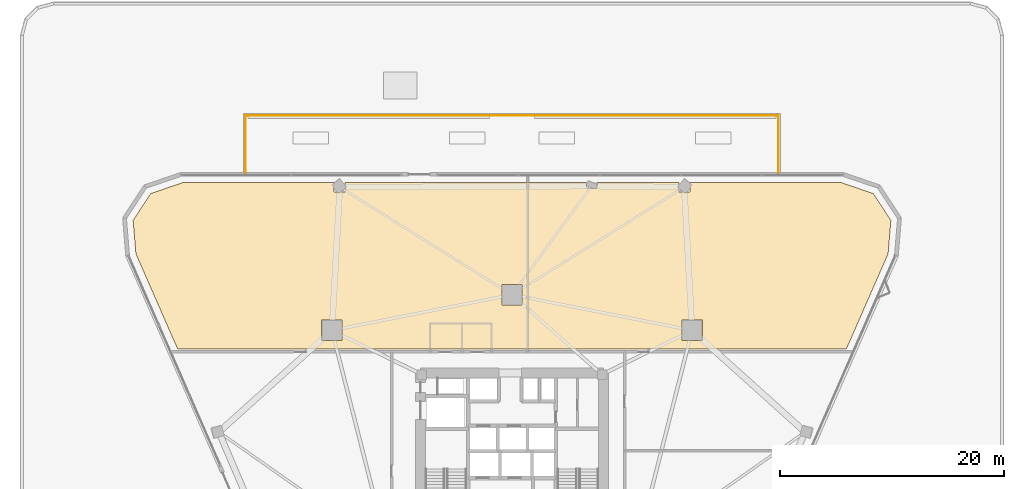
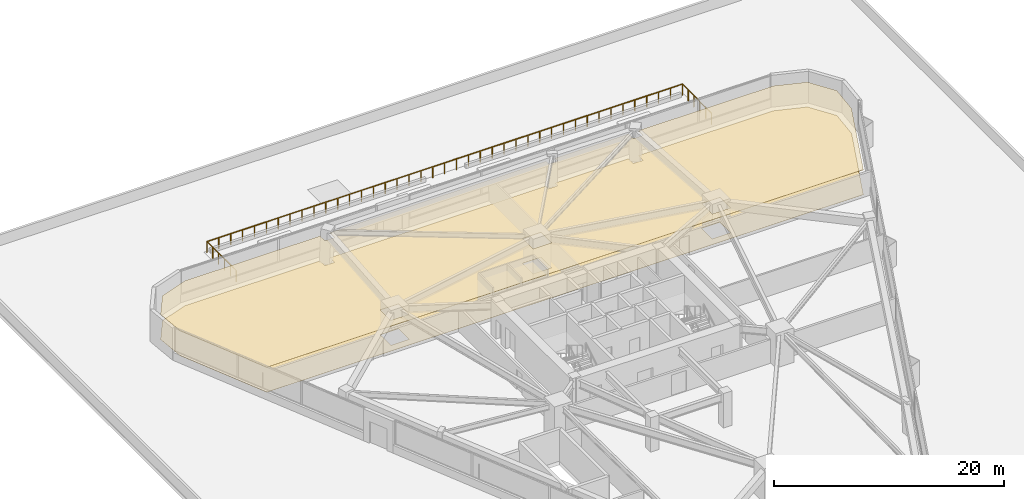
# One storey, part 21 of 21: 3 railings, 2 coverings.
"""IFC4 building model written with IfcOpenShell, lengths in metres."""

from ifc_helpers import new_model, si_unit, direction, frame, origin, origin_2d, place, context, subcontext, project, spatial, polyline, rectangle, outline, extrude, material, layer, layer_set, type_object, element, save


model = new_model("IFC4")

# Units and contexts
model_context = context("Model", 3, precision=1e-05, world=origin(), true_north=direction((0.0, 1.0)))
body_context = subcontext(model_context, "Body", "Model", "MODEL_VIEW")
ifc_project = project(units=[si_unit("LENGTHUNIT", "METRE"), si_unit("AREAUNIT", "SQUARE_METRE"), si_unit("VOLUMEUNIT", "CUBIC_METRE"), si_unit("PLANEANGLEUNIT", "RADIAN"), si_unit("MASSUNIT", "GRAM", prefix="KILO")], contexts=[model_context])

# Site, building, storey
site_placement = place(None, origin())
site = spatial("IfcSite", under=ifc_project, at=site_placement, CompositionType="ELEMENT")
building_placement = place(site_placement, origin())
building = spatial("IfcBuilding", under=site, at=building_placement, Name="Talyreon Biosciences Tower", CompositionType="ELEMENT")
storey_placement = place(building_placement, frame((0.0, 0.0, 22.800048828125)))
storey = spatial("IfcBuildingStorey", under=building, at=storey_placement, Name="L05", CompositionType="ELEMENT", Elevation=22.800048828125)

# Coverings
ifc_material_1 = material(Name="Cleanable acoustic mineral-fibre ceiling tile", Category="gypsum")
ifc_layer_1 = layer(ifc_material_1, 0.0400390625)
ifc_layer_set_1 = layer_set([ifc_layer_1], Name="Cleanable acoustic mineral-fibre ceiling tile")
covering_type_1 = type_object("IfcCoveringType", Name="AcousticCleanroomCeiling_40", PredefinedType="CEILING", material=ifc_layer_set_1)
covering_1_placement = place(storey_placement, frame((0.0, 0.0, 2.614990234375)))
element("IfcCovering", 1, at=covering_1_placement, inside=storey, type_object=covering_type_1, Name="L05 Acoustic Laboratory Ceiling", PredefinedType="CEILING", context=body_context, shape_type="SweptSolid", body=[
    extrude(outline(polyline([(32.116455078125, 88.437255859375), (33.68212890625, 90.83251953125), (36.513671875, 91.80419921875), (50.06298828125, 91.80419921875), (50.06298828125, 90.975341796875), (51.04296875, 90.975341796875), (51.04296875, 91.80419921875), (72.664306640625, 91.80419921875), (72.664306640625, 91.325439453125), (73.594482421875, 91.325439453125), (73.594482421875, 91.80419921875), (80.95703125, 91.80419921875), (80.95703125, 90.975341796875), (81.93701171875, 90.975341796875), (81.93701171875, 91.80419921875), (95.486328125, 91.80419921875), (98.31787109375, 90.83251953125), (99.883544921875, 88.437255859375), (99.63720703125, 85.45361328125), (95.89794921875, 76.919921875), (36.10205078125, 76.919921875), (32.36279296875, 85.45361328125), (32.116455078125, 88.437255859375)]), holes=[polyline([(48.982666015625, 77.68359375), (50.8125, 77.68359375), (50.8125, 79.513671875), (48.982666015625, 79.513671875), (48.982666015625, 77.68359375)]), polyline([(81.1875, 77.68359375), (83.017333984375, 77.68359375), (83.017333984375, 79.513671875), (81.1875, 79.513671875), (81.1875, 77.68359375)]), polyline([(66.9150390625, 80.873779296875), (66.9150390625, 82.703857421875), (65.0849609375, 82.703857421875), (65.0849609375, 80.873779296875), (66.9150390625, 80.873779296875)])]), origin(), (0.0, 0.0, 1.0), 0.0400390625),
])
ifc_material_2 = material(Name="Chemical-resistant seamless epoxy resin flooring", Category="plastic")
ifc_layer_2 = layer(ifc_material_2, 0.014892578125)
ifc_layer_set_2 = layer_set([ifc_layer_2], Name="Chemical-resistant seamless epoxy resin flooring")
covering_type_2 = type_object("IfcCoveringType", Name="SeamlessEpoxyLabFlooring_15", PredefinedType="FLOORING", material=ifc_layer_set_2)
covering_2_placement = place(storey_placement, origin())
element("IfcCovering", 2, at=covering_2_placement, inside=storey, type_object=covering_type_2, Name="L05 Laboratory Floor Finish", PredefinedType="FLOORING", context=body_context, shape_type="SweptSolid", body=[
    extrude(outline(polyline([(32.116455078125, 88.437255859375), (33.68212890625, 90.83251953125), (36.513671875, 91.80419921875), (50.06298828125, 91.80419921875), (50.06298828125, 90.975341796875), (51.04296875, 90.975341796875), (51.04296875, 91.80419921875), (72.664306640625, 91.80419921875), (72.664306640625, 91.325439453125), (73.594482421875, 91.325439453125), (73.594482421875, 91.80419921875), (80.95703125, 91.80419921875), (80.95703125, 90.975341796875), (81.93701171875, 90.975341796875), (81.93701171875, 91.80419921875), (95.486328125, 91.80419921875), (98.31787109375, 90.83251953125), (99.883544921875, 88.437255859375), (99.63720703125, 85.45361328125), (95.89794921875, 76.919921875), (36.10205078125, 76.919921875), (32.36279296875, 85.45361328125), (32.116455078125, 88.437255859375)]), holes=[polyline([(48.982666015625, 77.68359375), (50.8125, 77.68359375), (50.8125, 79.513671875), (48.982666015625, 79.513671875), (48.982666015625, 77.68359375)]), polyline([(81.1875, 77.68359375), (83.017333984375, 77.68359375), (83.017333984375, 79.513671875), (81.1875, 79.513671875), (81.1875, 77.68359375)]), polyline([(66.9150390625, 80.873779296875), (66.9150390625, 82.703857421875), (65.0849609375, 82.703857421875), (65.0849609375, 80.873779296875), (66.9150390625, 80.873779296875)])]), origin(), (0.0, 0.0, 1.0), 0.014892578125),
])

# Railings
ifc_material_3 = material(Name="Painted galvanised steel post-and-rail balustrade", Category="steel")
railing_type = type_object("IfcRailingType", Name="TerraceStairGuard_1200", PredefinedType="GUARDRAIL", material=ifc_material_3)
railing_1_placement = place(storey_placement, frame((42.179931640625, 97.820068359375, 0.0)))
element("IfcRailing", 3, at=railing_1_placement, inside=storey, type_object=railing_type, Name="L05 Podium Garden Guardrail 00", PredefinedType="GUARDRAIL", context=body_context, shape_type="SweptSolid", body=[
    extrude(rectangle(XDim=0.048095703125, YDim=0.048095703125, at=origin_2d()), frame((0.0, 0.0, 1.17578125), z_axis=(1.0, 0.0, 0.0), x_axis=(0.0, 1.0, 0.0)), (0.0, 0.0, 1.0), 47.64013671875),
    extrude(rectangle(XDim=0.0419921875, YDim=0.0419921875, at=origin_2d()), origin(), (0.0, 0.0, 1.0), 1.15185546875),
    extrude(rectangle(XDim=0.0419921875, YDim=0.0419921875, at=origin_2d()), frame((1.19091796875, 0.0, 0.0)), (0.0, 0.0, 1.0), 1.15185546875),
    extrude(rectangle(XDim=0.0419921875, YDim=0.0419921875, at=origin_2d()), frame((2.382080078125, 0.0, 0.0)), (0.0, 0.0, 1.0), 1.15185546875),
    extrude(rectangle(XDim=0.0419921875, YDim=0.0419921875, at=origin_2d()), frame((3.572998046875, 0.0, 0.0)), (0.0, 0.0, 1.0), 1.15185546875),
    extrude(rectangle(XDim=0.0419921875, YDim=0.0419921875, at=origin_2d()), frame((4.763916015625, 0.0, 0.0)), (0.0, 0.0, 1.0), 1.15185546875),
    extrude(rectangle(XDim=0.0419921875, YDim=0.0419921875, at=origin_2d()), frame((5.955078125, 0.0, 0.0)), (0.0, 0.0, 1.0), 1.15185546875),
    extrude(rectangle(XDim=0.0419921875, YDim=0.0419921875, at=origin_2d()), frame((7.14599609375, 0.0, 0.0)), (0.0, 0.0, 1.0), 1.15185546875),
    extrude(rectangle(XDim=0.0419921875, YDim=0.0419921875, at=origin_2d()), frame((8.3369140625, 0.0, 0.0)), (0.0, 0.0, 1.0), 1.15185546875),
    extrude(rectangle(XDim=0.0419921875, YDim=0.0419921875, at=origin_2d()), frame((9.528076171875, 0.0, 0.0)), (0.0, 0.0, 1.0), 1.15185546875),
    extrude(rectangle(XDim=0.0419921875, YDim=0.0419921875, at=origin_2d()), frame((10.718994140625, 0.0, 0.0)), (0.0, 0.0, 1.0), 1.15185546875),
    extrude(rectangle(XDim=0.0419921875, YDim=0.0419921875, at=origin_2d()), frame((11.91015625, 0.0, 0.0)), (0.0, 0.0, 1.0), 1.15185546875),
    extrude(rectangle(XDim=0.0419921875, YDim=0.0419921875, at=origin_2d()), frame((13.10107421875, 0.0, 0.0)), (0.0, 0.0, 1.0), 1.15185546875),
    extrude(rectangle(XDim=0.0419921875, YDim=0.0419921875, at=origin_2d()), frame((14.2919921875, 0.0, 0.0)), (0.0, 0.0, 1.0), 1.15185546875),
    extrude(rectangle(XDim=0.0419921875, YDim=0.0419921875, at=origin_2d()), frame((15.483154296875, 0.0, 0.0)), (0.0, 0.0, 1.0), 1.15185546875),
    extrude(rectangle(XDim=0.0419921875, YDim=0.0419921875, at=origin_2d()), frame((16.674072265625, 0.0, 0.0)), (0.0, 0.0, 1.0), 1.15185546875),
    extrude(rectangle(XDim=0.0419921875, YDim=0.0419921875, at=origin_2d()), frame((17.864990234375, 0.0, 0.0)), (0.0, 0.0, 1.0), 1.15185546875),
    extrude(rectangle(XDim=0.0419921875, YDim=0.0419921875, at=origin_2d()), frame((19.05615234375, 0.0, 0.0)), (0.0, 0.0, 1.0), 1.15185546875),
    extrude(rectangle(XDim=0.0419921875, YDim=0.0419921875, at=origin_2d()), frame((20.2470703125, 0.0, 0.0)), (0.0, 0.0, 1.0), 1.15185546875),
    extrude(rectangle(XDim=0.0419921875, YDim=0.0419921875, at=origin_2d()), frame((21.43798828125, 0.0, 0.0)), (0.0, 0.0, 1.0), 1.15185546875),
    extrude(rectangle(XDim=0.0419921875, YDim=0.0419921875, at=origin_2d()), frame((22.629150390625, 0.0, 0.0)), (0.0, 0.0, 1.0), 1.15185546875),
    extrude(rectangle(XDim=0.0419921875, YDim=0.0419921875, at=origin_2d()), frame((23.820068359375, 0.0, 0.0)), (0.0, 0.0, 1.0), 1.15185546875),
    extrude(rectangle(XDim=0.0419921875, YDim=0.0419921875, at=origin_2d()), frame((25.010986328125, 0.0, 0.0)), (0.0, 0.0, 1.0), 1.15185546875),
    extrude(rectangle(XDim=0.0419921875, YDim=0.0419921875, at=origin_2d()), frame((26.2021484375, 0.0, 0.0)), (0.0, 0.0, 1.0), 1.15185546875),
    extrude(rectangle(XDim=0.0419921875, YDim=0.0419921875, at=origin_2d()), frame((27.39306640625, 0.0, 0.0)), (0.0, 0.0, 1.0), 1.15185546875),
    extrude(rectangle(XDim=0.0419921875, YDim=0.0419921875, at=origin_2d()), frame((28.583984375, 0.0, 0.0)), (0.0, 0.0, 1.0), 1.15185546875),
    extrude(rectangle(XDim=0.0419921875, YDim=0.0419921875, at=origin_2d()), frame((29.775146484375, 0.0, 0.0)), (0.0, 0.0, 1.0), 1.15185546875),
    extrude(rectangle(XDim=0.0419921875, YDim=0.0419921875, at=origin_2d()), frame((30.966064453125, 0.0, 0.0)), (0.0, 0.0, 1.0), 1.15185546875),
    extrude(rectangle(XDim=0.0419921875, YDim=0.0419921875, at=origin_2d()), frame((32.156982421875, 0.0, 0.0)), (0.0, 0.0, 1.0), 1.15185546875),
    extrude(rectangle(XDim=0.0419921875, YDim=0.0419921875, at=origin_2d()), frame((33.34814453125, 0.0, 0.0)), (0.0, 0.0, 1.0), 1.15185546875),
    extrude(rectangle(XDim=0.0419921875, YDim=0.0419921875, at=origin_2d()), frame((34.5390625, 0.0, 0.0)), (0.0, 0.0, 1.0), 1.15185546875),
    extrude(rectangle(XDim=0.0419921875, YDim=0.0419921875, at=origin_2d()), frame((35.72998046875, 0.0, 0.0)), (0.0, 0.0, 1.0), 1.15185546875),
    extrude(rectangle(XDim=0.0419921875, YDim=0.0419921875, at=origin_2d()), frame((36.921142578125, 0.0, 0.0)), (0.0, 0.0, 1.0), 1.15185546875),
    extrude(rectangle(XDim=0.0419921875, YDim=0.0419921875, at=origin_2d()), frame((38.112060546875, 0.0, 0.0)), (0.0, 0.0, 1.0), 1.15185546875),
    extrude(rectangle(XDim=0.0419921875, YDim=0.0419921875, at=origin_2d()), frame((39.30322265625, 0.0, 0.0)), (0.0, 0.0, 1.0), 1.15185546875),
    extrude(rectangle(XDim=0.0419921875, YDim=0.0419921875, at=origin_2d()), frame((40.494140625, 0.0, 0.0)), (0.0, 0.0, 1.0), 1.15185546875),
    extrude(rectangle(XDim=0.0419921875, YDim=0.0419921875, at=origin_2d()), frame((41.68505859375, 0.0, 0.0)), (0.0, 0.0, 1.0), 1.15185546875),
    extrude(rectangle(XDim=0.0419921875, YDim=0.0419921875, at=origin_2d()), frame((42.876220703125, 0.0, 0.0)), (0.0, 0.0, 1.0), 1.15185546875),
    extrude(rectangle(XDim=0.0419921875, YDim=0.0419921875, at=origin_2d()), frame((44.067138671875, 0.0, 0.0)), (0.0, 0.0, 1.0), 1.15185546875),
    extrude(rectangle(XDim=0.0419921875, YDim=0.0419921875, at=origin_2d()), frame((45.258056640625, 0.0, 0.0)), (0.0, 0.0, 1.0), 1.15185546875),
    extrude(rectangle(XDim=0.0419921875, YDim=0.0419921875, at=origin_2d()), frame((46.44921875, 0.0, 0.0)), (0.0, 0.0, 1.0), 1.15185546875),
    extrude(rectangle(XDim=0.0419921875, YDim=0.0419921875, at=origin_2d()), frame((47.64013671875, 0.0, 0.0)), (0.0, 0.0, 1.0), 1.15185546875),
])
railing_2_placement = place(storey_placement, frame((89.820068359375, 97.820068359375, 0.0)))
element("IfcRailing", 4, at=railing_2_placement, inside=storey, type_object=railing_type, Name="L05 Podium Garden Guardrail 01", PredefinedType="GUARDRAIL", context=body_context, shape_type="SweptSolid", body=[
    extrude(rectangle(XDim=0.048095703125, YDim=0.048095703125, at=origin_2d()), frame((0.0, 0.0, 1.17578125), z_axis=(0.0, -1.0, 0.0), x_axis=(1.0, 0.0, 0.0)), (0.0, 0.0, 1.0), 5.085693359375),
    extrude(rectangle(XDim=0.0419921875, YDim=0.0419921875, at=origin_2d()), origin(), (0.0, 0.0, 1.0), 1.15185546875),
    extrude(rectangle(XDim=0.0419921875, YDim=0.0419921875, at=origin_2d()), frame((0.0, -1.01708984375, 0.0)), (0.0, 0.0, 1.0), 1.15185546875),
    extrude(rectangle(XDim=0.0419921875, YDim=0.0419921875, at=origin_2d()), frame((0.0, -2.0341796875, 0.0)), (0.0, 0.0, 1.0), 1.15185546875),
    extrude(rectangle(XDim=0.0419921875, YDim=0.0419921875, at=origin_2d()), frame((0.0, -3.051513671875, 0.0)), (0.0, 0.0, 1.0), 1.15185546875),
    extrude(rectangle(XDim=0.0419921875, YDim=0.0419921875, at=origin_2d()), frame((0.0, -4.068603515625, 0.0)), (0.0, 0.0, 1.0), 1.15185546875),
    extrude(rectangle(XDim=0.0419921875, YDim=0.0419921875, at=origin_2d()), frame((0.0, -5.085693359375, 0.0)), (0.0, 0.0, 1.0), 1.15185546875),
])
railing_3_placement = place(storey_placement, frame((42.179931640625, 92.734375, 0.0)))
element("IfcRailing", 5, at=railing_3_placement, inside=storey, type_object=railing_type, Name="L05 Podium Garden Guardrail 03", PredefinedType="GUARDRAIL", context=body_context, shape_type="SweptSolid", body=[
    extrude(rectangle(XDim=0.048095703125, YDim=0.048095703125, at=origin_2d()), frame((0.0, 0.0, 1.17578125), z_axis=(0.0, 1.0, 0.0), x_axis=(-1.0, 0.0, 0.0)), (0.0, 0.0, 1.0), 5.085693359375),
    extrude(rectangle(XDim=0.0419921875, YDim=0.0419921875, at=origin_2d()), origin(), (0.0, 0.0, 1.0), 1.15185546875),
    extrude(rectangle(XDim=0.0419921875, YDim=0.0419921875, at=origin_2d()), frame((0.0, 1.01708984375, 0.0)), (0.0, 0.0, 1.0), 1.15185546875),
    extrude(rectangle(XDim=0.0419921875, YDim=0.0419921875, at=origin_2d()), frame((0.0, 2.0341796875, 0.0)), (0.0, 0.0, 1.0), 1.15185546875),
    extrude(rectangle(XDim=0.0419921875, YDim=0.0419921875, at=origin_2d()), frame((0.0, 3.051513671875, 0.0)), (0.0, 0.0, 1.0), 1.15185546875),
    extrude(rectangle(XDim=0.0419921875, YDim=0.0419921875, at=origin_2d()), frame((0.0, 4.068603515625, 0.0)), (0.0, 0.0, 1.0), 1.15185546875),
    extrude(rectangle(XDim=0.0419921875, YDim=0.0419921875, at=origin_2d()), frame((0.0, 5.085693359375, 0.0)), (0.0, 0.0, 1.0), 1.15185546875),
])

save(model, "model.ifc")
